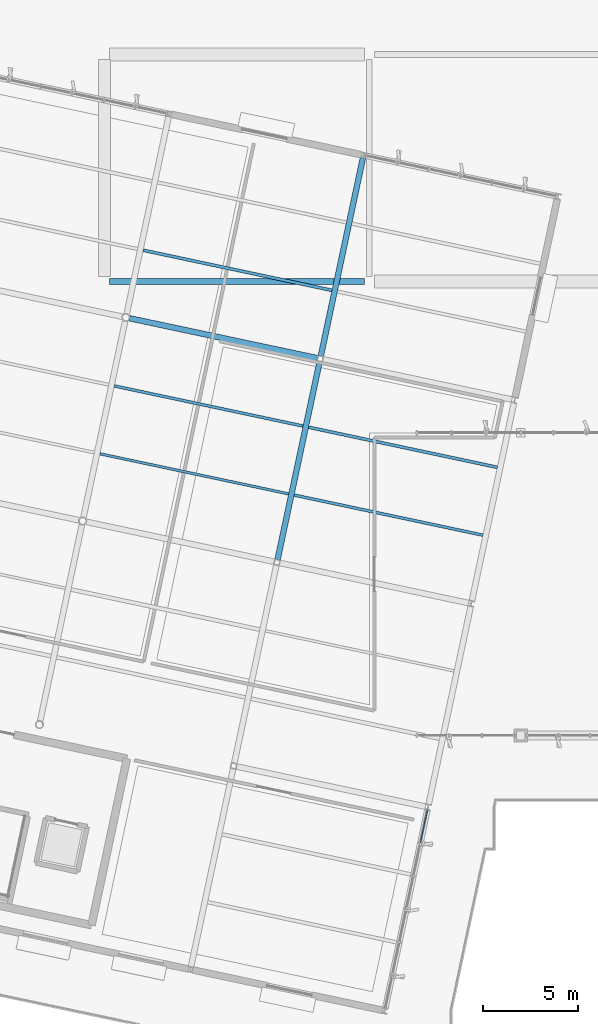
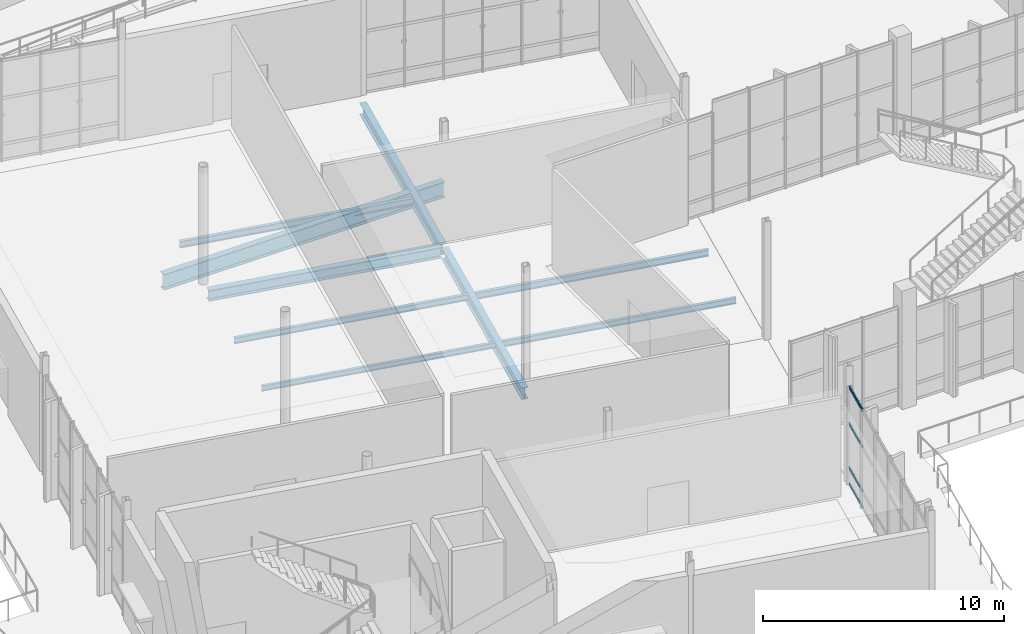
# One storey, part 45 of 163: 9 beams, 4 members, 1 element without a shape of its own.
"""IFC4 building model written with IfcOpenShell, lengths in metres."""

from ifc_helpers import new_model, si_unit, direction, frame, origin, origin_2d, place, context, subcontext, project, spatial, hollow_rectangle, i_section, extrude, material, layer, layer_set, material_profile, profile_set, type_object, element, aggregate, save


model = new_model("IFC4")

# Units and contexts
model_context = context("Model", 3, precision=1e-05, world=origin(), true_north=direction((0.0, 1.0)))
body_context = subcontext(model_context, "Body", "Model", "MODEL_VIEW")
ifc_project = project(units=[si_unit("LENGTHUNIT", "METRE"), si_unit("AREAUNIT", "SQUARE_METRE"), si_unit("VOLUMEUNIT", "CUBIC_METRE"), si_unit("PLANEANGLEUNIT", "RADIAN"), si_unit("MASSUNIT", "GRAM", prefix="KILO")], contexts=[model_context])

# Site, building, storey
site_placement = place(None, origin())
site = spatial("IfcSite", under=ifc_project, at=site_placement, CompositionType="ELEMENT")
building_placement = place(site_placement, origin())
building = spatial("IfcBuilding", under=site, at=building_placement, Name="Khorjan Park Terminus", CompositionType="ELEMENT")
storey_placement = place(building_placement, origin())
storey = spatial("IfcBuildingStorey", under=building, at=storey_placement, Name="L00", CompositionType="ELEMENT", Elevation=0.0)

# Beams
ifc_material_1 = material(Name="Steel S355", Category="steel")
ifc_material_profile_1 = material_profile(ifc_material_1, i_section(OverallWidth=0.3, OverallDepth=0.59, WebThickness=0.013, FlangeThickness=0.025, FilletRadius=0.027, at=origin_2d()), Name="HEA 600")
ifc_profile_set_1 = profile_set([ifc_material_profile_1], Name="Steel S355")
beam_type_1 = type_object("IfcBeamType", Name="BM-HEA600", PredefinedType="BEAM", material=ifc_profile_set_1)
beam_1_placement = place(storey_placement, frame((19.1453, 59.2949, -0.635), z_axis=(0.207907890532, 0.978148408502, 0.0), x_axis=(-0.978148408502, 0.207907890532, 0.0)))
element("IfcBeam", 1, at=beam_1_placement, inside=storey, type_object=beam_type_1, Name="Primary skew-grid floor girder SB-A60 (L00)", PredefinedType="BEAM", context=body_context, shape_type="SweptSolid", body=[
    extrude(i_section(OverallWidth=0.3, OverallDepth=0.59, WebThickness=0.013, FlangeThickness=0.025, FilletRadius=0.027, at=origin_2d()), origin(), (0.0, 0.0, 1.0), 10.71),
])
ifc_material_profile_2 = material_profile(ifc_material_1, i_section(OverallWidth=0.3, OverallDepth=0.55, WebThickness=0.015, FlangeThickness=0.029, FilletRadius=0.027, at=origin_2d()), Name="HEB 550")
ifc_profile_set_2 = profile_set([ifc_material_profile_2], Name="Steel S355")
beam_type_2 = type_object("IfcBeamType", Name="BM-HEB550", PredefinedType="BEAM", material=ifc_profile_set_2)
beam_2_placement = place(storey_placement, frame((11.3255, 72.0546, -0.615), z_axis=(0.978148165063, -0.20790903584, 0.0), x_axis=(0.20790903584, 0.978148165063, 0.0)))
element("IfcBeam", 2, at=beam_2_placement, inside=storey, type_object=beam_type_2, Name="Primary skew-grid floor girder SB-B55 (L00)", PredefinedType="BEAM", context=body_context, shape_type="SweptSolid", body=[
    extrude(i_section(OverallWidth=0.3, OverallDepth=0.55, WebThickness=0.015, FlangeThickness=0.029, FilletRadius=0.027, at=origin_2d()), origin(), (0.0, 0.0, 1.0), 10.1568),
])
ifc_material_profile_3 = material_profile(ifc_material_1, i_section(OverallWidth=0.3, OverallDepth=0.6, WebThickness=0.0155, FlangeThickness=0.03, FilletRadius=0.027, at=origin_2d()), Name="HEB 600")
ifc_profile_set_3 = profile_set([ifc_material_profile_3], Name="Steel S355")
beam_type_3 = type_object("IfcBeamType", Name="BM-HEB600", PredefinedType="BEAM", material=ifc_profile_set_3)
beam_3_placement = place(storey_placement, frame((21.4323, 70.0546, -0.64), z_axis=(0.207911303582, 0.978147683043, 0.0), x_axis=(-0.978147683043, 0.207911303582, 0.0)))
element("IfcBeam", 3, at=beam_3_placement, inside=storey, type_object=beam_type_3, Name="Primary skew-grid floor girder SB-B60 (L00)", PredefinedType="BEAM", context=body_context, shape_type="SweptSolid", body=[
    extrude(i_section(OverallWidth=0.3, OverallDepth=0.6, WebThickness=0.0155, FlangeThickness=0.03, FilletRadius=0.027, at=origin_2d()), origin(), (0.0, 0.0, 1.0), 10.72),
])
ifc_material_profile_4 = material_profile(ifc_material_1, i_section(OverallWidth=0.3, OverallDepth=0.8, WebThickness=0.0175, FlangeThickness=0.033, FilletRadius=0.03, at=origin_2d()), Name="HEB 800")
ifc_profile_set_4 = profile_set([ifc_material_profile_4], Name="Steel S355")
beam_type_4 = type_object("IfcBeamType", Name="BM-HEB800", PredefinedType="BEAM", material=ifc_profile_set_4)
beam_4_placement = place(storey_placement, frame((10.27, 74.0, -0.74), z_axis=(1.0, 0.0, 0.0), x_axis=(0.0, 1.0, 0.0)))
element("IfcBeam", 4, at=beam_4_placement, inside=storey, type_object=beam_type_4, Name="Primary floor girder SB-B80 (L00)", PredefinedType="BEAM", context=body_context, shape_type="SweptSolid", body=[
    extrude(i_section(OverallWidth=0.3, OverallDepth=0.8, WebThickness=0.0175, FlangeThickness=0.033, FilletRadius=0.03, at=origin_2d()), origin(), (0.0, 0.0, 1.0), 13.46),
])
ifc_material_profile_5 = material_profile(ifc_material_1, i_section(OverallWidth=0.135, OverallDepth=0.27, WebThickness=0.0066, FlangeThickness=0.0102, FilletRadius=0.015, at=origin_2d()), Name="IPE 270")
ifc_profile_set_5 = profile_set([ifc_material_profile_5], Name="Steel S355")
beam_type_5 = type_object("IfcBeamType", Name="JS-IPE270", PredefinedType="JOIST", material=ifc_profile_set_5)
beam_5_placement = place(storey_placement, frame((9.7537, 64.8916, -0.475), z_axis=(0.978147562282, -0.207911871719, 0.0), x_axis=(0.207911871719, 0.978147562282, 0.0)))
element("IfcBeam", 5, at=beam_5_placement, inside=storey, type_object=beam_type_5, Name="Secondary composite floor joist SJ-27 (L00)", PredefinedType="JOIST", context=body_context, shape_type="SweptSolid", body=[
    extrude(i_section(OverallWidth=0.135, OverallDepth=0.27, WebThickness=0.0066, FlangeThickness=0.0102, FilletRadius=0.015, at=origin_2d()), origin(), (0.0, 0.0, 1.0), 10.2),
])
ifc_material_profile_6 = material_profile(ifc_material_1, i_section(OverallWidth=0.15, OverallDepth=0.3, WebThickness=0.0071, FlangeThickness=0.0107, FilletRadius=0.015, at=origin_2d()), Name="IPE 300")
ifc_profile_set_6 = profile_set([ifc_material_profile_6], Name="Steel S355")
beam_type_6 = type_object("IfcBeamType", Name="JS-IPE300", PredefinedType="JOIST", material=ifc_profile_set_6)
for number, where, z_axis, x_axis, name in (
    (6, (10.516, 68.478, -0.49), (0.978147562282, -0.207911871719, 0.0), (0.207911871719, 0.978147562282, 0.0), "Secondary composite floor joist SJ-30 (L00)"),
    (7, (20.0242, 62.7085, -0.49), (0.978147562282, -0.207911871719, 0.0), (0.207911871719, 0.978147562282, 0.0), "Secondary composite floor joist SJ-30 (L00)"),
):
    element("IfcBeam", number, at=place(storey_placement, frame(where, z_axis=z_axis, x_axis=x_axis)), inside=storey, type_object=beam_type_6, Name=name, PredefinedType="JOIST", context=body_context, shape_type="SweptSolid", body=[
        extrude(i_section(OverallWidth=0.15, OverallDepth=0.3, WebThickness=0.0071, FlangeThickness=0.0107, FilletRadius=0.015, at=origin_2d()), origin(), (0.0, 0.0, 1.0), 10.2),
    ])
ifc_material_profile_7 = material_profile(ifc_material_1, i_section(OverallWidth=0.16, OverallDepth=0.33, WebThickness=0.0075, FlangeThickness=0.0115, FilletRadius=0.018, at=origin_2d()), Name="IPE 330")
ifc_profile_set_7 = profile_set([ifc_material_profile_7], Name="Steel S355")
beam_type_7 = type_object("IfcBeamType", Name="JS-IPE330", PredefinedType="JOIST", material=ifc_profile_set_7)
for number, where, z_axis, x_axis, name in (
    (8, (12.0407, 75.6512, -0.505), (0.978147562282, -0.207911871719, 0.0), (0.207911871719, 0.978147562282, 0.0), "Secondary composite floor joist SJ-33 (L00)"),
    (9, (20.7866, 66.295, -0.505), (0.978147562282, -0.207911871719, 0.0), (0.207911871719, 0.978147562282, 0.0), "Secondary composite floor joist SJ-33 (L00)"),
):
    element("IfcBeam", number, at=place(storey_placement, frame(where, z_axis=z_axis, x_axis=x_axis)), inside=storey, type_object=beam_type_7, Name=name, PredefinedType="JOIST", context=body_context, shape_type="SweptSolid", body=[
        extrude(i_section(OverallWidth=0.16, OverallDepth=0.33, WebThickness=0.0075, FlangeThickness=0.0115, FilletRadius=0.018, at=origin_2d()), origin(), (0.0, 0.0, 1.0), 10.2),
    ])

# Curtain wall, members
ifc_material_2 = material(Name="Anodized Bronze Aluminium", Category="aluminium")
ifc_layer = layer(ifc_material_2, 0.22)
ifc_layer_set = layer_set([ifc_layer], Name="Anodized Bronze Aluminium")
curtain_wall_type = type_object("IfcCurtainWallType", Name="CW-PAV-C", PredefinedType="NOTDEFINED", material=ifc_layer_set)
curtain_wall_placement = place(storey_placement, origin())
curtain_wall = element("IfcCurtainWall", 10, at=curtain_wall_placement, inside=storey, type_object=curtain_wall_type, Name="Unitized curtain wall CW-C (CW-V4-E-L00-B01)", PredefinedType="NOTDEFINED")
ifc_material_profile_8 = material_profile(ifc_material_2, hollow_rectangle(XDim=0.065, YDim=0.14, WallThickness=0.004, InnerFilletRadius=0.004, OuterFilletRadius=0.008, at=origin_2d()), Name="ALT 65x140x4")
ifc_profile_set_8 = profile_set([ifc_material_profile_8], Name="Anodized Bronze Aluminium")
member_type = type_object("IfcMemberType", Name="TR-ALT-140", PredefinedType="USERDEFINED", material=ifc_profile_set_8)
member_1_placement = place(storey_placement, frame((26.6994, 44.3321, 0.04), z_axis=(0.207941609461, 0.978141240852, 0.0), x_axis=(-0.978141240852, 0.207941609461, 0.0)))
member_1 = element("IfcMember", 11, at=member_1_placement, type_object=member_type, Name="Curtain-wall transom TR-14 (CW-V4-E-L00-B01-5-1)", ObjectType="TRANSOM", PredefinedType="USERDEFINED", context=body_context, shape_type="SweptSolid", body=[
    extrude(hollow_rectangle(XDim=0.065, YDim=0.14, WallThickness=0.004, InnerFilletRadius=0.004, OuterFilletRadius=0.008, at=origin_2d()), origin(), (0.0, 0.0, 1.0), 1.7899),
])
member_2_placement = place(storey_placement, frame((26.6994, 44.3321, 0.85), z_axis=(0.207941609461, 0.978141240852, 0.0), x_axis=(-0.978141240852, 0.207941609461, 0.0)))
member_2 = element("IfcMember", 12, at=member_2_placement, type_object=member_type, Name="Curtain-wall transom TR-14 (CW-V4-E-L00-B01-5-2)", ObjectType="TRANSOM", PredefinedType="USERDEFINED", context=body_context, shape_type="SweptSolid", body=[
    extrude(hollow_rectangle(XDim=0.065, YDim=0.14, WallThickness=0.004, InnerFilletRadius=0.004, OuterFilletRadius=0.008, at=origin_2d()), origin(), (0.0, 0.0, 1.0), 1.7899),
])
member_3_placement = place(storey_placement, frame((26.6994, 44.3321, 3.0845), z_axis=(0.207941609461, 0.978141240852, 0.0), x_axis=(-0.978141240852, 0.207941609461, 0.0)))
member_3 = element("IfcMember", 13, at=member_3_placement, type_object=member_type, Name="Curtain-wall transom TR-14 (CW-V4-E-L00-B01-5-3)", ObjectType="TRANSOM", PredefinedType="USERDEFINED", context=body_context, shape_type="SweptSolid", body=[
    extrude(hollow_rectangle(XDim=0.065, YDim=0.14, WallThickness=0.004, InnerFilletRadius=0.004, OuterFilletRadius=0.008, at=origin_2d()), origin(), (0.0, 0.0, 1.0), 1.7899),
])
member_4_placement = place(storey_placement, frame((26.6994, 44.3321, 4.935), z_axis=(0.207941609461, 0.978141240852, 0.0), x_axis=(-0.978141240852, 0.207941609461, 0.0)))
member_4 = element("IfcMember", 14, at=member_4_placement, type_object=member_type, Name="Curtain-wall transom TR-14 (CW-V4-E-L00-B01-5-4)", ObjectType="TRANSOM", PredefinedType="USERDEFINED", context=body_context, shape_type="SweptSolid", body=[
    extrude(hollow_rectangle(XDim=0.065, YDim=0.14, WallThickness=0.004, InnerFilletRadius=0.004, OuterFilletRadius=0.008, at=origin_2d()), origin(), (0.0, 0.0, 1.0), 1.7899),
])
aggregate(curtain_wall, [member_1, member_2, member_3, member_4])

save(model, "model.ifc")
